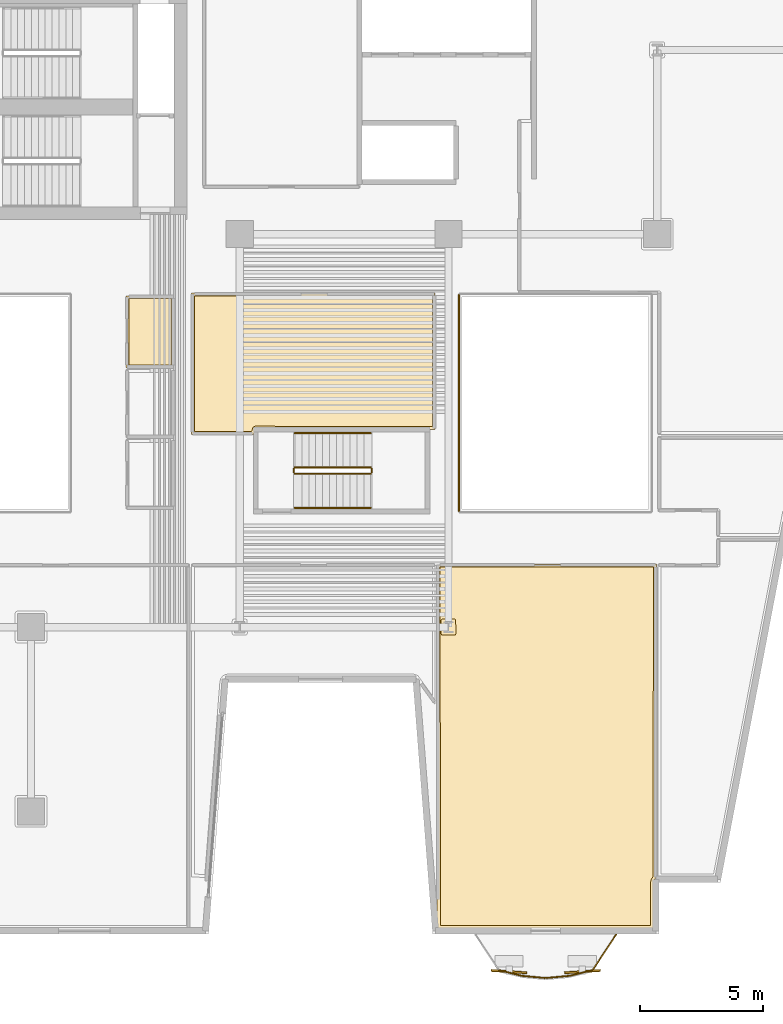
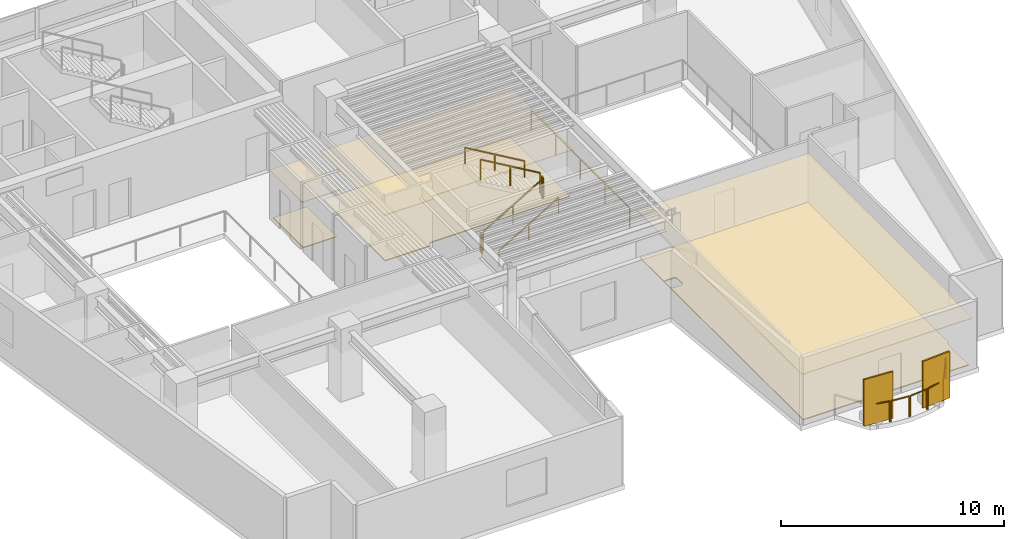
# One storey, part 10 of 13: 12 railings, 6 coverings, 2 shading devices.
"""IFC4 building model written with IfcOpenShell, lengths in metres."""

from ifc_helpers import new_model, si_unit, direction, frame, origin, origin_2d, place, context, subcontext, project, spatial, polyline, rectangle, outline, extrude, material, layer, layer_set, type_object, element, save


model = new_model("IFC4")

# Units and contexts
model_context = context("Model", 3, precision=1e-05, world=origin(), true_north=direction((0.0, 1.0)))
body_context = subcontext(model_context, "Body", "Model", "MODEL_VIEW")
ifc_project = project(units=[si_unit("LENGTHUNIT", "METRE"), si_unit("AREAUNIT", "SQUARE_METRE"), si_unit("VOLUMEUNIT", "CUBIC_METRE"), si_unit("PLANEANGLEUNIT", "RADIAN"), si_unit("MASSUNIT", "GRAM", prefix="KILO")], contexts=[model_context])

# Site, building, storey
site_placement = place(None, origin())
site = spatial("IfcSite", under=ifc_project, at=site_placement, CompositionType="ELEMENT")
building_placement = place(site_placement, origin())
building = spatial("IfcBuilding", under=site, at=building_placement, Name="Caeloran Harvest Quay", CompositionType="ELEMENT")
storey_placement = place(building_placement, frame((0.0, 0.0, 131.14990234375)))
storey = spatial("IfcBuildingStorey", under=building, at=storey_placement, Name="L30", CompositionType="ELEMENT", Elevation=131.14990234375)

# Coverings
ifc_material_1 = material(Name="Perforated Mineral-Fibre Acoustic Ceiling Tile", Category="ceiling")
ifc_layer_1 = layer(ifc_material_1, 0.0400390625, Name="Perforated Mineral-Fibre Acoustic Ceiling Tile")
ifc_layer_set_1 = layer_set([ifc_layer_1], Name="Perforated Mineral-Fibre Acoustic Ceiling Tile")
covering_type_1 = type_object("IfcCoveringType", Name="COV-CEILING-ACOUSTIC", PredefinedType="CEILING", material=ifc_layer_set_1)
covering_1_placement = place(storey_placement, frame((0.0, 0.0, 2.60009765625)))
element("IfcCovering", 1, at=covering_1_placement, inside=storey, type_object=covering_type_1, Name="L30 Male Washroom WC Acoustic Ceiling", PredefinedType="CEILING", context=body_context, shape_type="SweptSolid", body=[
    extrude(outline(polyline([(22.840087890625, 25.56005859375), (20.8701171875, 25.56005859375), (20.8701171875, 28.489990234375), (22.840087890625, 28.489990234375), (22.840087890625, 25.56005859375)])), origin(), (0.0, 0.0, 1.0), 0.0400390625),
])
covering_2_placement = place(storey_placement, frame((0.0, 0.0, 2.60009765625)))
element("IfcCovering", 2, at=covering_2_placement, inside=storey, type_object=covering_type_1, Name="Controlled-Climate Simulation Lab Acoustic Ceiling", PredefinedType="CEILING", context=body_context, shape_type="SweptSolid", body=[
    extrude(outline(polyline([(42.39990234375, 4.739501953125), (42.359619140625, 4.663818359375), (42.35009765625, 4.59912109375), (42.35009765625, 2.719970703125), (33.55859375, 2.719970703125), (33.5400390625, 2.95703125), (33.5400390625, 17.56005859375), (42.4599609375, 17.56005859375), (42.4599609375, 4.7919921875), (42.39990234375, 4.739501953125)])), origin(), (0.0, 0.0, 1.0), 0.0400390625),
])
covering_3_placement = place(storey_placement, frame((0.0, 0.0, 2.60009765625)))
element("IfcCovering", 3, at=covering_3_placement, inside=storey, type_object=covering_type_1, Name="Server Rack Laboratory Acoustic Ceiling", PredefinedType="CEILING", context=body_context, shape_type="SweptSolid", body=[
    extrude(outline(polyline([(26.139892578125, 23.06005859375), (26.139892578125, 23.02099609375), (26.054443359375, 22.840087890625), (23.5400390625, 22.840087890625), (23.5400390625, 28.610107421875), (33.4599609375, 28.610107421875), (33.4599609375, 23.0400390625), (33.170166015625, 23.0400390625), (33.162841796875, 23.06005859375), (26.139892578125, 23.06005859375)])), origin(), (0.0, 0.0, 1.0), 0.0400390625),
])
ifc_material_2 = material(Name="Calcium-Sulphate Raised Access Floor and Terrazzo Finish", Category="flooring")
ifc_layer_2 = layer(ifc_material_2, 0.050048828125, Name="Calcium-Sulphate Raised Access Floor and Terrazzo Finish")
ifc_layer_set_2 = layer_set([ifc_layer_2], Name="Calcium-Sulphate Raised Access Floor and Terrazzo Finish")
covering_type_2 = type_object("IfcCoveringType", Name="COV-FLOOR-RAISED", PredefinedType="FLOORING", material=ifc_layer_set_2)
covering_4_placement = place(storey_placement, origin())
element("IfcCovering", 4, at=covering_4_placement, inside=storey, type_object=covering_type_2, Name="L30 Male Washroom WC Raised Finish Flooring", PredefinedType="FLOORING", context=body_context, shape_type="SweptSolid", body=[
    extrude(outline(polyline([(22.719970703125, 25.679931640625), (20.989990234375, 25.679931640625), (20.989990234375, 28.3701171875), (22.719970703125, 28.3701171875), (22.719970703125, 25.679931640625)])), origin(), (0.0, 0.0, 1.0), 0.050048828125),
])
covering_5_placement = place(storey_placement, origin())
element("IfcCovering", 5, at=covering_5_placement, inside=storey, type_object=covering_type_2, Name="Controlled-Climate Simulation Lab Raised Finish Flooring", PredefinedType="FLOORING", context=body_context, shape_type="SweptSolid", body=[
    extrude(outline(polyline([(42.33251953125, 4.843017578125), (42.257568359375, 4.733642578125), (42.231201171875, 4.62939453125), (42.22998046875, 2.840087890625), (33.66943359375, 2.840087890625), (33.659912109375, 17.43994140625), (42.340087890625, 17.43994140625), (42.33251953125, 4.843017578125)]), holes=[polyline([(34.306884765625, 14.748046875), (34.288818359375, 15.302734375), (34.23486328125, 15.33154296875), (33.77294921875, 15.33203125), (33.71630859375, 15.30859375), (33.693115234375, 15.251953125), (33.693115234375, 14.748046875), (33.71630859375, 14.69140625), (33.77294921875, 14.66796875), (34.22705078125, 14.66796875), (34.28369140625, 14.69140625), (34.306884765625, 14.748046875)])]), origin(), (0.0, 0.0, 1.0), 0.050048828125),
])
covering_6_placement = place(storey_placement, origin())
element("IfcCovering", 6, at=covering_6_placement, inside=storey, type_object=covering_type_2, Name="Server Rack Laboratory Raised Finish Flooring", PredefinedType="FLOORING", context=body_context, shape_type="SweptSolid", body=[
    extrude(outline(polyline([(33.340087890625, 23.159912109375), (26.1298828125, 23.179931640625), (26.040771484375, 23.13427734375), (25.978515625, 22.9599609375), (23.659912109375, 22.9599609375), (23.659912109375, 28.489990234375), (33.340087890625, 28.489990234375), (33.340087890625, 23.159912109375)])), origin(), (0.0, 0.0, 1.0), 0.050048828125),
])

# Railings
ifc_material_3 = material(Name="Powder-Coated Steel Post and Laminated Glass Guardrail", Category="steel")
ifc_layer_3 = layer(ifc_material_3, 0.06005859375, Name="Powder-Coated Steel Post and Laminated Glass Guardrail")
ifc_layer_set_3 = layer_set([ifc_layer_3], Name="Powder-Coated Steel Post and Laminated Glass Guardrail")
railing_type_1 = type_object("IfcRailingType", Name="GUARD-ATRIUM-1150", PredefinedType="GUARDRAIL", material=ifc_layer_set_3)
railing_1_placement = place(storey_placement, frame((34.429931640625, 28.5380859375, 0.0)))
element("IfcRailing", 7, at=railing_1_placement, inside=storey, type_object=railing_type_1, Name="L30 East Botanical Lightwell Guardrail Seg 4", PredefinedType="GUARDRAIL", context=body_context, shape_type="SweptSolid", body=[
    extrude(rectangle(XDim=0.048095703125, YDim=0.048095703125, at=origin_2d()), frame((0.0, 0.0, 1.1259765625), z_axis=(0.0, -1.0, 0.0), x_axis=(1.0, 0.0, 0.0)), (0.0, 0.0, 1.0), 8.826171875),
    extrude(rectangle(XDim=0.0419921875, YDim=0.0419921875, at=origin_2d()), origin(), (0.0, 0.0, 1.0), 1.101806640625),
    extrude(rectangle(XDim=0.0419921875, YDim=0.0419921875, at=origin_2d()), frame((0.0, -2.20654296875, 0.0)), (0.0, 0.0, 1.0), 1.101806640625),
    extrude(rectangle(XDim=0.0419921875, YDim=0.0419921875, at=origin_2d()), frame((0.0, -4.4130859375, 0.0)), (0.0, 0.0, 1.0), 1.101806640625),
    extrude(rectangle(XDim=0.0419921875, YDim=0.0419921875, at=origin_2d()), frame((0.0, -6.61962890625, 0.0)), (0.0, 0.0, 1.0), 1.101806640625),
    extrude(rectangle(XDim=0.0419921875, YDim=0.0419921875, at=origin_2d()), frame((0.0, -8.826171875, 0.0)), (0.0, 0.0, 1.0), 1.101806640625),
])
ifc_material_4 = material(Name="Laminated Safety Glass and Stainless Steel 316", Category="steel")
ifc_layer_4 = layer(ifc_material_4, 0.06005859375, Name="Laminated Safety Glass and Stainless Steel 316")
ifc_layer_set_4 = layer_set([ifc_layer_4], Name="Laminated Safety Glass and Stainless Steel 316")
railing_type_2 = type_object("IfcRailingType", Name="GUARD-BALUSTRADE-1150", PredefinedType="BALUSTRADE", material=ifc_layer_set_4)
railing_2_placement = place(storey_placement, frame((40.825927734375, 2.47998046875, 0.0)))
element("IfcRailing", 8, at=railing_2_placement, inside=storey, type_object=railing_type_2, Name="L30 Planted Balcony Perimeter Balustrade Guard Seg 1", PredefinedType="BALUSTRADE", context=body_context, shape_type="SweptSolid", body=[
    extrude(rectangle(XDim=0.048095703125, YDim=0.048095703125, at=origin_2d()), frame((0.0, 0.0, 1.1259765625), z_axis=(-0.551847813959, -0.833944836443, 0.0), x_axis=(0.833944836443, -0.551847813959, 0.0)), (0.0, 0.0, 1.0), 1.70068359375),
    extrude(rectangle(XDim=0.0419921875, YDim=0.0419921875, at=origin_2d()), origin(), (0.0, 0.0, 1.0), 1.101806640625),
    extrude(rectangle(XDim=0.0419921875, YDim=0.0419921875, at=origin_2d()), frame((-0.9384765625, -1.418212890625, 0.0)), (0.0, 0.0, 1.0), 1.101806640625),
])
railing_3_placement = place(storey_placement, frame((39.838623046875, 1.02734375, 0.0)))
element("IfcRailing", 9, at=railing_3_placement, inside=storey, type_object=railing_type_2, Name="L30 Planted Balcony Perimeter Balustrade Guard Seg 2", PredefinedType="BALUSTRADE", context=body_context, shape_type="SweptSolid", body=[
    extrude(rectangle(XDim=0.048095703125, YDim=0.048095703125, at=origin_2d()), frame((0.0, 0.0, 1.1259765625), z_axis=(-0.970344846007, -0.241724801846, 0.0), x_axis=(0.241724801846, -0.970344846007, 0.0)), (0.0, 0.0, 1.0), 0.921142578125),
    extrude(rectangle(XDim=0.0419921875, YDim=0.0419921875, at=origin_2d()), origin(), (0.0, 0.0, 1.0), 1.101806640625),
    extrude(rectangle(XDim=0.0419921875, YDim=0.0419921875, at=origin_2d()), frame((-0.893798828125, -0.22265625, 0.0)), (0.0, 0.0, 1.0), 1.101806640625),
])
railing_4_placement = place(storey_placement, frame((38.8818359375, 0.794189453125, 0.0)))
element("IfcRailing", 10, at=railing_4_placement, inside=storey, type_object=railing_type_2, Name="L30 Planted Balcony Perimeter Balustrade Guard Seg 3", PredefinedType="BALUSTRADE", context=body_context, shape_type="SweptSolid", body=[
    extrude(rectangle(XDim=0.048095703125, YDim=0.048095703125, at=origin_2d()), frame((0.0, 0.0, 1.1259765625), z_axis=(-0.995875320235, -0.090732279518, 0.0), x_axis=(0.090732279518, -0.995875320235, 0.0)), (0.0, 0.0, 1.0), 0.89599609375),
    extrude(rectangle(XDim=0.0419921875, YDim=0.0419921875, at=origin_2d()), origin(), (0.0, 0.0, 1.0), 1.101806640625),
    extrude(rectangle(XDim=0.0419921875, YDim=0.0419921875, at=origin_2d()), frame((-0.892333984375, -0.081298828125, 0.0)), (0.0, 0.0, 1.0), 1.101806640625),
])
railing_5_placement = place(storey_placement, frame((37.925537109375, 0.712890625, 0.0)))
element("IfcRailing", 11, at=railing_5_placement, inside=storey, type_object=railing_type_2, Name="L30 Planted Balcony Perimeter Balustrade Guard Seg 4", PredefinedType="BALUSTRADE", context=body_context, shape_type="SweptSolid", body=[
    extrude(rectangle(XDim=0.048095703125, YDim=0.048095703125, at=origin_2d()), frame((0.0, 0.0, 1.1259765625), z_axis=(-0.995875320235, 0.090732279518, 0.0), x_axis=(-0.090732279518, -0.995875320235, 0.0)), (0.0, 0.0, 1.0), 0.89599609375),
    extrude(rectangle(XDim=0.0419921875, YDim=0.0419921875, at=origin_2d()), origin(), (0.0, 0.0, 1.0), 1.101806640625),
    extrude(rectangle(XDim=0.0419921875, YDim=0.0419921875, at=origin_2d()), frame((-0.892333984375, 0.081298828125, 0.0)), (0.0, 0.0, 1.0), 1.101806640625),
])
railing_6_placement = place(storey_placement, frame((36.97021484375, 0.8046875, 0.0)))
element("IfcRailing", 12, at=railing_6_placement, inside=storey, type_object=railing_type_2, Name="L30 Planted Balcony Perimeter Balustrade Guard Seg 5", PredefinedType="BALUSTRADE", context=body_context, shape_type="SweptSolid", body=[
    extrude(rectangle(XDim=0.048095703125, YDim=0.048095703125, at=origin_2d()), frame((0.0, 0.0, 1.1259765625), z_axis=(-0.970344846007, 0.241724801846, 0.0), x_axis=(-0.241724801846, -0.970344846007, 0.0)), (0.0, 0.0, 1.0), 0.921142578125),
    extrude(rectangle(XDim=0.0419921875, YDim=0.0419921875, at=origin_2d()), origin(), (0.0, 0.0, 1.0), 1.101806640625),
    extrude(rectangle(XDim=0.0419921875, YDim=0.0419921875, at=origin_2d()), frame((-0.893798828125, 0.22265625, 0.0)), (0.0, 0.0, 1.0), 1.101806640625),
])

# Shading devices
ifc_material_5 = material(Name="3003-H14 Perforated Powder-Coated Aluminium", Category="aluminium")
shading_device_type = type_object("IfcShadingDeviceType", Name="SHADE-SCREEN-FOLDED", PredefinedType="USERDEFINED", material=ifc_material_5)
for number, where, z_axis, x_axis, name in (
    (13, (39.44921875, 0.969970703125, 0.0751953125), (0.0, 0.0, 1.0), (0.997801468292, 0.0662739004, 0.0), "L30 Folded Facade Breathing Screen 1"),
    (14, (36.4658203125, 0.969970703125, 0.0751953125), (0.0, 0.0, 1.0), (0.997801468292, -0.0662739004, 0.0), "L30 Folded Facade Breathing Screen 2"),
):
    element("IfcShadingDevice", number, at=place(storey_placement, frame(where, z_axis=z_axis, x_axis=x_axis)), inside=storey, type_object=shading_device_type, Name=name, ObjectType="SCREEN", PredefinedType="USERDEFINED", context=body_context, shape_type="SweptSolid", body=[
        extrude(rectangle(XDim=1.449951171875, YDim=0.080078125, at=origin_2d()), origin(), (0.0, 0.0, 1.0), 2.550048828125),
    ])

# Railings
ifc_material_6 = material(Name="Painted Steel Baluster and Top-Rail Stair Guard", Category="steel")
ifc_layer_5 = layer(ifc_material_6, 0.050048828125, Name="Painted Steel Baluster and Top-Rail Stair Guard")
ifc_layer_set_5 = layer_set([ifc_layer_5], Name="Painted Steel Baluster and Top-Rail Stair Guard")
railing_type_3 = type_object("IfcRailingType", Name="STAIR-GUARD-1100", PredefinedType="GUARDRAIL", material=ifc_layer_set_5)
railing_7_placement = place(storey_placement, frame((27.75, 21.25, 0.164794921875)))
element("IfcRailing", 15, at=railing_7_placement, inside=storey, type_object=railing_type_3, Name="L30 ST-W1 stair guard 1", PredefinedType="GUARDRAIL", context=body_context, shape_type="SweptSolid", body=[
    extrude(rectangle(XDim=0.048095703125, YDim=0.048095703125, at=origin_2d()), frame((0.0, 0.0, 1.076171875), z_axis=(0.862118610829, 0.0, 0.506706523406), x_axis=(0.0, 1.0, 0.0)), (0.0, 0.0, 1.0), 3.57275390625),
    extrude(rectangle(XDim=0.0419921875, YDim=0.0419921875, at=origin_2d()), origin(), (0.0, 0.0, 1.0), 1.052001953125),
    extrude(rectangle(XDim=0.0419921875, YDim=0.0419921875, at=origin_2d()), frame((1.5400390625, 0.0, 0.9052734375)), (0.0, 0.0, 1.0), 1.052001953125),
    extrude(rectangle(XDim=0.0419921875, YDim=0.0419921875, at=origin_2d()), frame((3.080078125, 0.0, 1.810302734375)), (0.0, 0.0, 1.0), 1.052001953125),
])
railing_8_placement = place(storey_placement, frame((30.8798828125, 21.300048828125, 1.97509765625)))
element("IfcRailing", 16, at=railing_8_placement, inside=storey, type_object=railing_type_3, Name="L30 ST-W1 stair guard 2", PredefinedType="GUARDRAIL", context=body_context, shape_type="SweptSolid", body=[
    extrude(rectangle(XDim=0.048095703125, YDim=0.048095703125, at=origin_2d()), frame((0.0, 0.0, 1.076171875), z_axis=(0.0, 1.0, 0.0), x_axis=(-1.0, 0.0, 0.0)), (0.0, 0.0, 1.0), 0.14990234375),
    extrude(rectangle(XDim=0.0419921875, YDim=0.0419921875, at=origin_2d()), origin(), (0.0, 0.0, 1.0), 1.052001953125),
    extrude(rectangle(XDim=0.0419921875, YDim=0.0419921875, at=origin_2d()), frame((0.0, 0.14990234375, 0.0)), (0.0, 0.0, 1.0), 1.052001953125),
])
railing_9_placement = place(storey_placement, frame((30.830078125, 21.5, 2.1396484375)))
element("IfcRailing", 17, at=railing_9_placement, inside=storey, type_object=railing_type_3, Name="L30 ST-W1 stair guard 3", PredefinedType="GUARDRAIL", context=body_context, shape_type="SweptSolid", body=[
    extrude(rectangle(XDim=0.048095703125, YDim=0.048095703125, at=origin_2d()), frame((0.0, 0.0, 1.076171875), z_axis=(-0.862088758681, 0.0, 0.506757310905), x_axis=(0.0, -1.0, 0.0)), (0.0, 0.0, 1.0), 3.57275390625),
    extrude(rectangle(XDim=0.0419921875, YDim=0.0419921875, at=origin_2d()), origin(), (0.0, 0.0, 1.0), 1.052001953125),
    extrude(rectangle(XDim=0.0419921875, YDim=0.0419921875, at=origin_2d()), frame((-1.5400390625, 0.0, 0.9052734375)), (0.0, 0.0, 1.0), 1.052001953125),
    extrude(rectangle(XDim=0.0419921875, YDim=0.0419921875, at=origin_2d()), frame((-3.080078125, 0.0, 1.810546875)), (0.0, 0.0, 1.0), 1.052001953125),
])
railing_10_placement = place(storey_placement, frame((27.699951171875, 21.300048828125, 0.0)))
element("IfcRailing", 18, at=railing_10_placement, inside=storey, type_object=railing_type_3, Name="L30 ST-W1 stair guard 4", PredefinedType="GUARDRAIL", context=body_context, shape_type="SweptSolid", body=[
    extrude(rectangle(XDim=0.048095703125, YDim=0.048095703125, at=origin_2d()), frame((0.0, 0.0, 1.076171875), z_axis=(0.0, 1.0, 0.0), x_axis=(-1.0, 0.0, 0.0)), (0.0, 0.0, 1.0), 0.14990234375),
    extrude(rectangle(XDim=0.0419921875, YDim=0.0419921875, at=origin_2d()), origin(), (0.0, 0.0, 1.0), 1.052001953125),
    extrude(rectangle(XDim=0.0419921875, YDim=0.0419921875, at=origin_2d()), frame((0.0, 0.14990234375, 0.0)), (0.0, 0.0, 1.0), 1.052001953125),
])
ifc_material_7 = material(Name="Brushed Stainless Steel Grade 304", Category="steel")
ifc_layer_6 = layer(ifc_material_7, 0.050048828125, Name="Brushed Stainless Steel Grade 304")
ifc_layer_set_6 = layer_set([ifc_layer_6], Name="Brushed Stainless Steel Grade 304")
railing_type_4 = type_object("IfcRailingType", Name="STAIR-HANDRAIL-900", PredefinedType="HANDRAIL", material=ifc_layer_set_6)
railing_11_placement = place(storey_placement, frame((27.75, 19.85009765625, 0.164794921875)))
element("IfcRailing", 19, at=railing_11_placement, inside=storey, type_object=railing_type_4, Name="L30 ST-W1 stair handrail 1", PredefinedType="HANDRAIL", context=body_context, shape_type="SweptSolid", body=[
    extrude(rectangle(XDim=0.048095703125, YDim=0.048095703125, at=origin_2d()), frame((0.0, 0.0, 0.8759765625), z_axis=(0.862118610829, 0.0, 0.506706523406), x_axis=(0.0, 1.0, 0.0)), (0.0, 0.0, 1.0), 3.57275390625),
    extrude(rectangle(XDim=0.0419921875, YDim=0.0419921875, at=origin_2d()), origin(), (0.0, 0.0, 1.0), 0.851806640625),
    extrude(rectangle(XDim=0.0419921875, YDim=0.0419921875, at=origin_2d()), frame((1.5400390625, 0.0, 0.9052734375)), (0.0, 0.0, 1.0), 0.851806640625),
    extrude(rectangle(XDim=0.0419921875, YDim=0.0419921875, at=origin_2d()), frame((3.080078125, 0.0, 1.810302734375)), (0.0, 0.0, 1.0), 0.851806640625),
])
railing_12_placement = place(storey_placement, frame((30.830078125, 22.89990234375, 2.1396484375)))
element("IfcRailing", 20, at=railing_12_placement, inside=storey, type_object=railing_type_4, Name="L30 ST-W1 stair handrail 2", PredefinedType="HANDRAIL", context=body_context, shape_type="SweptSolid", body=[
    extrude(rectangle(XDim=0.048095703125, YDim=0.048095703125, at=origin_2d()), frame((0.0, 0.0, 0.8759765625), z_axis=(-0.862088758681, 0.0, 0.506757310905), x_axis=(0.0, -1.0, 0.0)), (0.0, 0.0, 1.0), 3.57275390625),
    extrude(rectangle(XDim=0.0419921875, YDim=0.0419921875, at=origin_2d()), origin(), (0.0, 0.0, 1.0), 0.851806640625),
    extrude(rectangle(XDim=0.0419921875, YDim=0.0419921875, at=origin_2d()), frame((-1.5400390625, 0.0, 0.9052734375)), (0.0, 0.0, 1.0), 0.851806640625),
    extrude(rectangle(XDim=0.0419921875, YDim=0.0419921875, at=origin_2d()), frame((-3.080078125, 0.0, 1.810546875)), (0.0, 0.0, 1.0), 0.851806640625),
])

save(model, "model.ifc")
